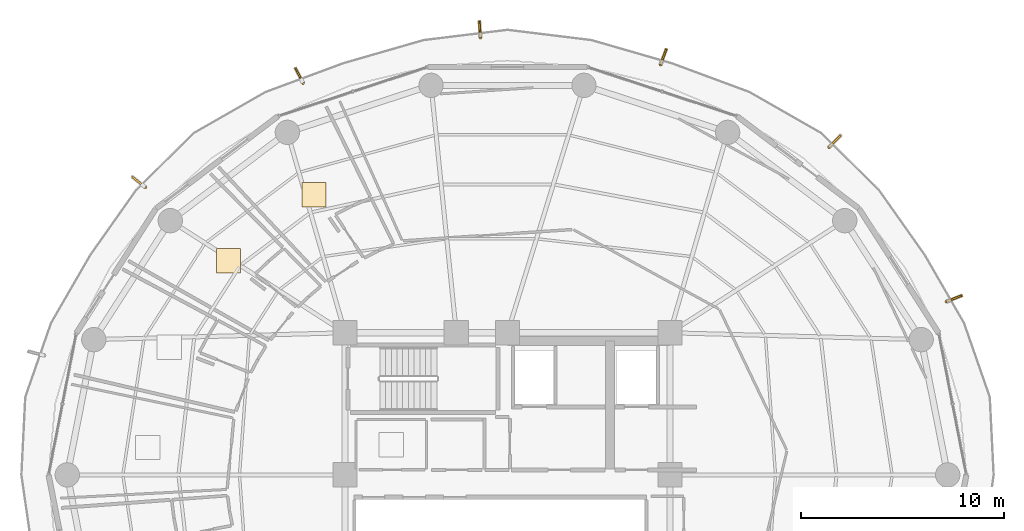
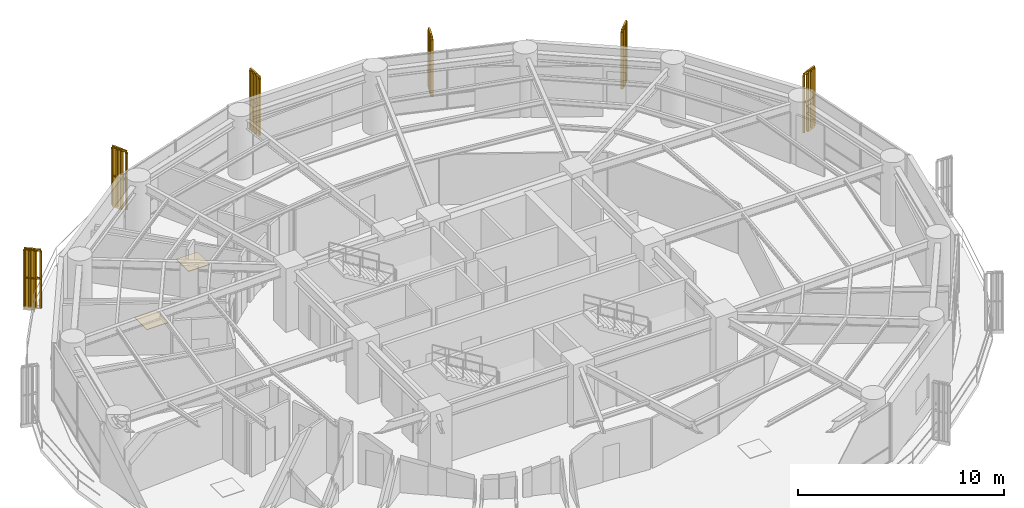
# One storey, part 29 of 29: 6 railings, 6 shading devices, 2 coverings.
"""IFC4 building model written with IfcOpenShell, lengths in metres."""

from ifc_helpers import new_model, si_unit, direction, frame, origin, origin_2d, place, context, subcontext, project, spatial, polyline, rectangle, outline, extrude, source, transform, mapped, material, layer, layer_set, type_object, element, save


model = new_model("IFC4")

# Units and contexts
model_context = context("Model", 3, precision=1e-05, world=origin(), true_north=direction((0.0, 1.0)))
body_context = subcontext(model_context, "Body", "Model", "MODEL_VIEW")
ifc_project = project(units=[si_unit("LENGTHUNIT", "METRE"), si_unit("AREAUNIT", "SQUARE_METRE"), si_unit("VOLUMEUNIT", "CUBIC_METRE"), si_unit("PLANEANGLEUNIT", "RADIAN"), si_unit("MASSUNIT", "GRAM", prefix="KILO")], contexts=[model_context])

# Site, building, storey
site_placement = place(None, origin())
site = spatial("IfcSite", under=ifc_project, at=site_placement, CompositionType="ELEMENT")
building_placement = place(site_placement, origin())
building = spatial("IfcBuilding", under=site, at=building_placement, Name="Kelanora Arch Commons", CompositionType="ELEMENT")
storey_placement = place(building_placement, frame((0.0, 0.0, 135.60009765625)))
storey = spatial("IfcBuildingStorey", under=building, at=storey_placement, Name="L34", CompositionType="ELEMENT", Elevation=135.60009765625)

# Railings
ifc_material_1 = material(Name="Anodised bronze vertical shading fin rib assembly")
railing_type = type_object("IfcRailingType", Name="RAIL-FIN-BRZ", PredefinedType="BALUSTRADE", material=ifc_material_1)
railing_1_placement = place(storey_placement, frame((95.61962890625, 66.534423828125, -0.02001953125)))
element("IfcRailing", 1, at=railing_1_placement, inside=storey, type_object=railing_type, Name="Sweeping Bronze Vertical Fin Blade L34-00", PredefinedType="BALUSTRADE", context=body_context, shape_type="SweptSolid", body=[
    extrude(outline(polyline([(0.06982421875, 0.0), (0.034912109375, 0.060546875), (-0.034912109375, 0.060546875), (-0.06982421875, 0.0), (-0.034912109375, -0.060546875), (0.034912109375, -0.060546875), (0.06982421875, 0.0)])), frame((0.0, 0.0, 3.419921875), z_axis=(0.930067437236, 0.367388843317, 0.0), x_axis=(-0.367388843317, 0.930067437236, 0.0)), (0.0, 0.0, 1.0), 0.800048828125),
    extrude(outline(polyline([(0.06982421875, 0.0), (0.034912109375, 0.060546875), (-0.034912109375, 0.060546875), (-0.06982421875, 0.0), (-0.034912109375, -0.060546875), (0.034912109375, -0.060546875), (0.06982421875, 0.0)])), frame((0.0, 0.0, 1.7451171875), z_axis=(0.930067437236, 0.367388843317, 0.0), x_axis=(-0.367388843317, 0.930067437236, 0.0)), (0.0, 0.0, 1.0), 0.800048828125),
    extrude(outline(polyline([(0.080078125, 0.0), (0.0400390625, 0.0693359375), (-0.0400390625, 0.0693359375), (-0.080078125, 0.0), (-0.0400390625, -0.0693359375), (0.0400390625, -0.0693359375), (0.080078125, 0.0)])), origin(), (0.0, 0.0, 1.0), 3.35009765625),
    extrude(outline(polyline([(0.080078125, 0.0), (0.0400390625, 0.0693359375), (-0.0400390625, 0.0693359375), (-0.080078125, 0.0), (-0.0400390625, -0.0693359375), (0.0400390625, -0.0693359375), (0.080078125, 0.0)])), frame((0.248046875, 0.097900390625, 0.0)), (0.0, 0.0, 1.0), 3.35009765625),
    extrude(outline(polyline([(0.080078125, 0.0), (0.0400390625, 0.0693359375), (-0.0400390625, 0.0693359375), (-0.080078125, 0.0), (-0.0400390625, -0.0693359375), (0.0400390625, -0.0693359375), (0.080078125, 0.0)])), frame((0.49609375, 0.196044921875, 0.0)), (0.0, 0.0, 1.0), 3.35009765625),
    extrude(outline(polyline([(0.080078125, 0.0), (0.0400390625, 0.0693359375), (-0.0400390625, 0.0693359375), (-0.080078125, 0.0), (-0.0400390625, -0.0693359375), (0.0400390625, -0.0693359375), (0.080078125, 0.0)])), frame((0.744140625, 0.2939453125, 0.0)), (0.0, 0.0, 1.0), 3.35009765625),
])
railing_2_placement = place(storey_placement, frame((89.838134765625, 74.140625, -0.02001953125)))
element("IfcRailing", 2, at=railing_2_placement, inside=storey, type_object=railing_type, Name="Sweeping Bronze Vertical Fin Blade L34-01", PredefinedType="BALUSTRADE", context=body_context, shape_type="SweptSolid", body=[
    extrude(outline(polyline([(0.06982421875, 0.0), (0.034912109375, 0.060546875), (-0.034912109375, 0.060546875), (-0.06982421875, 0.0), (-0.034912109375, -0.060546875), (0.034912109375, -0.060546875), (0.06982421875, 0.0)])), frame((0.0, 0.0, 3.419921875), z_axis=(0.700361206285, 0.713788610676, 0.0), x_axis=(-0.713788610676, 0.700361206285, 0.0)), (0.0, 0.0, 1.0), 0.800048828125),
    extrude(outline(polyline([(0.06982421875, 0.0), (0.034912109375, 0.060546875), (-0.034912109375, 0.060546875), (-0.06982421875, 0.0), (-0.034912109375, -0.060546875), (0.034912109375, -0.060546875), (0.06982421875, 0.0)])), frame((0.0, 0.0, 1.7451171875), z_axis=(0.700361206285, 0.713788610676, 0.0), x_axis=(-0.713788610676, 0.700361206285, 0.0)), (0.0, 0.0, 1.0), 0.800048828125),
    extrude(outline(polyline([(0.080078125, 0.0), (0.0400390625, 0.0693359375), (-0.0400390625, 0.0693359375), (-0.080078125, 0.0), (-0.0400390625, -0.0693359375), (0.0400390625, -0.0693359375), (0.080078125, 0.0)])), origin(), (0.0, 0.0, 1.0), 3.35009765625),
    extrude(outline(polyline([(0.080078125, 0.0), (0.0400390625, 0.0693359375), (-0.0400390625, 0.0693359375), (-0.080078125, 0.0), (-0.0400390625, -0.0693359375), (0.0400390625, -0.0693359375), (0.080078125, 0.0)])), frame((0.186767578125, 0.1904296875, 0.0)), (0.0, 0.0, 1.0), 3.35009765625),
    extrude(outline(polyline([(0.080078125, 0.0), (0.0400390625, 0.0693359375), (-0.0400390625, 0.0693359375), (-0.080078125, 0.0), (-0.0400390625, -0.0693359375), (0.0400390625, -0.0693359375), (0.080078125, 0.0)])), frame((0.37353515625, 0.380615234375, 0.0)), (0.0, 0.0, 1.0), 3.35009765625),
    extrude(outline(polyline([(0.080078125, 0.0), (0.0400390625, 0.0693359375), (-0.0400390625, 0.0693359375), (-0.080078125, 0.0), (-0.0400390625, -0.0693359375), (0.0400390625, -0.0693359375), (0.080078125, 0.0)])), frame((0.560302734375, 0.571044921875, 0.0)), (0.0, 0.0, 1.0), 3.35009765625),
])
railing_3_placement = place(storey_placement, frame((81.537109375, 78.20361328125, -0.02001953125)))
element("IfcRailing", 3, at=railing_3_placement, inside=storey, type_object=railing_type, Name="Sweeping Bronze Vertical Fin Blade L34-02", PredefinedType="BALUSTRADE", context=body_context, shape_type="SweptSolid", body=[
    extrude(outline(polyline([(0.06982421875, 0.0), (0.034912109375, 0.060546875), (-0.034912109375, 0.060546875), (-0.06982421875, 0.0), (-0.034912109375, -0.060546875), (0.034912109375, -0.060546875), (0.06982421875, 0.0)])), frame((0.0, 0.0, 3.419921875), z_axis=(0.349450569214, 0.936954801298, 0.0), x_axis=(-0.936954801298, 0.349450569214, 0.0)), (0.0, 0.0, 1.0), 0.800048828125),
    extrude(outline(polyline([(0.06982421875, 0.0), (0.034912109375, 0.060546875), (-0.034912109375, 0.060546875), (-0.06982421875, 0.0), (-0.034912109375, -0.060546875), (0.034912109375, -0.060546875), (0.06982421875, 0.0)])), frame((0.0, 0.0, 1.7451171875), z_axis=(0.349450569214, 0.936954801298, 0.0), x_axis=(-0.936954801298, 0.349450569214, 0.0)), (0.0, 0.0, 1.0), 0.800048828125),
    extrude(outline(polyline([(0.080078125, 0.0), (0.0400390625, 0.0693359375), (-0.0400390625, 0.0693359375), (-0.080078125, 0.0), (-0.0400390625, -0.0693359375), (0.0400390625, -0.0693359375), (0.080078125, 0.0)])), origin(), (0.0, 0.0, 1.0), 3.35009765625),
    extrude(outline(polyline([(0.080078125, 0.0), (0.0400390625, 0.0693359375), (-0.0400390625, 0.0693359375), (-0.080078125, 0.0), (-0.0400390625, -0.0693359375), (0.0400390625, -0.0693359375), (0.080078125, 0.0)])), frame((0.09326171875, 0.249755859375, 0.0)), (0.0, 0.0, 1.0), 3.35009765625),
    extrude(outline(polyline([(0.080078125, 0.0), (0.0400390625, 0.0693359375), (-0.0400390625, 0.0693359375), (-0.080078125, 0.0), (-0.0400390625, -0.0693359375), (0.0400390625, -0.0693359375), (0.080078125, 0.0)])), frame((0.186279296875, 0.499755859375, 0.0)), (0.0, 0.0, 1.0), 3.35009765625),
    extrude(outline(polyline([(0.080078125, 0.0), (0.0400390625, 0.0693359375), (-0.0400390625, 0.0693359375), (-0.080078125, 0.0), (-0.0400390625, -0.0693359375), (0.0400390625, -0.0693359375), (0.080078125, 0.0)])), frame((0.279541015625, 0.74951171875, 0.0)), (0.0, 0.0, 1.0), 3.35009765625),
])
railing_4_placement = place(storey_placement, frame((72.6669921875, 79.535400390625, -0.02001953125)))
element("IfcRailing", 4, at=railing_4_placement, inside=storey, type_object=railing_type, Name="Sweeping Bronze Vertical Fin Blade L34-03", PredefinedType="BALUSTRADE", context=body_context, shape_type="SweptSolid", body=[
    extrude(outline(polyline([(0.06982421875, 0.0), (0.034912109375, 0.060546875), (-0.034912109375, 0.060546875), (-0.06982421875, 0.0), (-0.034912109375, -0.060546875), (0.034912109375, -0.060546875), (0.06982421875, 0.0)])), frame((0.0, 0.0, 3.419921875), z_axis=(-0.061656172649, 0.998097448336, 0.0), x_axis=(-0.998097448336, -0.061656172649, 0.0)), (0.0, 0.0, 1.0), 0.7998046875),
    extrude(outline(polyline([(0.06982421875, 0.0), (0.034912109375, 0.060546875), (-0.034912109375, 0.060546875), (-0.06982421875, 0.0), (-0.034912109375, -0.060546875), (0.034912109375, -0.060546875), (0.06982421875, 0.0)])), frame((0.0, 0.0, 1.7451171875), z_axis=(-0.061656172649, 0.998097448336, 0.0), x_axis=(-0.998097448336, -0.061656172649, 0.0)), (0.0, 0.0, 1.0), 0.7998046875),
    extrude(outline(polyline([(0.080078125, 0.0), (0.0400390625, 0.0693359375), (-0.0400390625, 0.0693359375), (-0.080078125, 0.0), (-0.0400390625, -0.0693359375), (0.0400390625, -0.0693359375), (0.080078125, 0.0)])), origin(), (0.0, 0.0, 1.0), 3.35009765625),
    extrude(outline(polyline([(0.080078125, 0.0), (0.0400390625, 0.0693359375), (-0.0400390625, 0.0693359375), (-0.080078125, 0.0), (-0.0400390625, -0.0693359375), (0.0400390625, -0.0693359375), (0.080078125, 0.0)])), frame((-0.016357421875, 0.26611328125, 0.0)), (0.0, 0.0, 1.0), 3.35009765625),
    extrude(outline(polyline([(0.080078125, 0.0), (0.0400390625, 0.0693359375), (-0.0400390625, 0.0693359375), (-0.080078125, 0.0), (-0.0400390625, -0.0693359375), (0.0400390625, -0.0693359375), (0.080078125, 0.0)])), frame((-0.032958984375, 0.5322265625, 0.0)), (0.0, 0.0, 1.0), 3.35009765625),
    extrude(outline(polyline([(0.080078125, 0.0), (0.0400390625, 0.0693359375), (-0.0400390625, 0.0693359375), (-0.080078125, 0.0), (-0.0400390625, -0.0693359375), (0.0400390625, -0.0693359375), (0.080078125, 0.0)])), frame((-0.04931640625, 0.79833984375, 0.0)), (0.0, 0.0, 1.0), 3.35009765625),
])
railing_5_placement = place(storey_placement, frame((63.93115234375, 77.3076171875, -0.02001953125)))
element("IfcRailing", 5, at=railing_5_placement, inside=storey, type_object=railing_type, Name="Sweeping Bronze Vertical Fin Blade L34-04", PredefinedType="BALUSTRADE", context=body_context, shape_type="SweptSolid", body=[
    extrude(outline(polyline([(0.06982421875, 0.0), (0.034912109375, 0.060546875), (-0.034912109375, 0.060546875), (-0.06982421875, 0.0), (-0.034912109375, -0.060546875), (0.034912109375, -0.060546875), (0.06982421875, 0.0)])), frame((0.0, 0.0, 3.419921875), z_axis=(-0.462409534141, 0.886666466455, 0.0), x_axis=(-0.886666466455, -0.462409534141, 0.0)), (0.0, 0.0, 1.0), 0.7998046875),
    extrude(outline(polyline([(0.06982421875, 0.0), (0.034912109375, 0.060546875), (-0.034912109375, 0.060546875), (-0.06982421875, 0.0), (-0.034912109375, -0.060546875), (0.034912109375, -0.060546875), (0.06982421875, 0.0)])), frame((0.0, 0.0, 1.7451171875), z_axis=(-0.462409534141, 0.886666466455, 0.0), x_axis=(-0.886666466455, -0.462409534141, 0.0)), (0.0, 0.0, 1.0), 0.7998046875),
    extrude(outline(polyline([(0.080078125, 0.0), (0.0400390625, 0.0693359375), (-0.0400390625, 0.0693359375), (-0.080078125, 0.0), (-0.0400390625, -0.0693359375), (0.0400390625, -0.0693359375), (0.080078125, 0.0)])), origin(), (0.0, 0.0, 1.0), 3.35009765625),
    extrude(outline(polyline([(0.080078125, 0.0), (0.0400390625, 0.0693359375), (-0.0400390625, 0.0693359375), (-0.080078125, 0.0), (-0.0400390625, -0.0693359375), (0.0400390625, -0.0693359375), (0.080078125, 0.0)])), frame((-0.123291015625, 0.236328125, 0.0)), (0.0, 0.0, 1.0), 3.35009765625),
    extrude(outline(polyline([(0.080078125, 0.0), (0.0400390625, 0.0693359375), (-0.0400390625, 0.0693359375), (-0.080078125, 0.0), (-0.0400390625, -0.0693359375), (0.0400390625, -0.0693359375), (0.080078125, 0.0)])), frame((-0.24658203125, 0.472900390625, 0.0)), (0.0, 0.0, 1.0), 3.35009765625),
    extrude(outline(polyline([(0.080078125, 0.0), (0.0400390625, 0.0693359375), (-0.0400390625, 0.0693359375), (-0.080078125, 0.0), (-0.0400390625, -0.0693359375), (0.0400390625, -0.0693359375), (0.080078125, 0.0)])), frame((-0.369873046875, 0.709228515625, 0.0)), (0.0, 0.0, 1.0), 3.35009765625),
])
railing_6_placement = place(storey_placement, frame((56.1611328125, 72.168212890625, -0.02001953125)))
element("IfcRailing", 6, at=railing_6_placement, inside=storey, type_object=railing_type, Name="Sweeping Bronze Vertical Fin Blade L34-05", PredefinedType="BALUSTRADE", context=body_context, shape_type="SweptSolid", body=[
    extrude(outline(polyline([(0.06982421875, 0.0), (0.034912109375, 0.060546875), (-0.034912109375, 0.060546875), (-0.06982421875, 0.0), (-0.034912109375, -0.060546875), (0.034912109375, -0.060546875), (0.06982421875, 0.0)])), frame((0.0, 0.0, 3.419921875), z_axis=(-0.782918516386, 0.622124261462, 0.0), x_axis=(-0.622124261462, -0.782918516386, 0.0)), (0.0, 0.0, 1.0), 0.800048828125),
    extrude(outline(polyline([(0.06982421875, 0.0), (0.034912109375, 0.060546875), (-0.034912109375, 0.060546875), (-0.06982421875, 0.0), (-0.034912109375, -0.060546875), (0.034912109375, -0.060546875), (0.06982421875, 0.0)])), frame((0.0, 0.0, 1.7451171875), z_axis=(-0.782918516386, 0.622124261462, 0.0), x_axis=(-0.622124261462, -0.782918516386, 0.0)), (0.0, 0.0, 1.0), 0.800048828125),
    extrude(outline(polyline([(0.080078125, 0.0), (0.0400390625, 0.0693359375), (-0.0400390625, 0.0693359375), (-0.080078125, 0.0), (-0.0400390625, -0.0693359375), (0.0400390625, -0.0693359375), (0.080078125, 0.0)])), origin(), (0.0, 0.0, 1.0), 3.35009765625),
    extrude(outline(polyline([(0.080078125, 0.0), (0.0400390625, 0.0693359375), (-0.0400390625, 0.0693359375), (-0.080078125, 0.0), (-0.0400390625, -0.0693359375), (0.0400390625, -0.0693359375), (0.080078125, 0.0)])), frame((-0.208740234375, 0.166015625, 0.0)), (0.0, 0.0, 1.0), 3.35009765625),
    extrude(outline(polyline([(0.080078125, 0.0), (0.0400390625, 0.0693359375), (-0.0400390625, 0.0693359375), (-0.080078125, 0.0), (-0.0400390625, -0.0693359375), (0.0400390625, -0.0693359375), (0.080078125, 0.0)])), frame((-0.417724609375, 0.331787109375, 0.0)), (0.0, 0.0, 1.0), 3.35009765625),
    extrude(outline(polyline([(0.080078125, 0.0), (0.0400390625, 0.0693359375), (-0.0400390625, 0.0693359375), (-0.080078125, 0.0), (-0.0400390625, -0.0693359375), (0.0400390625, -0.0693359375), (0.080078125, 0.0)])), frame((-0.62646484375, 0.497802734375, 0.0)), (0.0, 0.0, 1.0), 3.35009765625),
])

# Shading devices
ifc_material_2 = material(Name="Terracotta ceramic-clad extruded aluminium fin", Category="masonry")
shading_device_type = type_object("IfcShadingDeviceType", Name="SHD-FIN-WAIST", PredefinedType="USERDEFINED", material=ifc_material_2)
shared_shape_1 = source(origin(), body_context, "Body", "SweptSolid", [
    extrude(rectangle(XDim=0.56005859375, YDim=0.090087890625, at=origin_2d()), origin(), (0.0, 0.0, 1.0), 3.610107421875),
])
for number, where, z_axis, x_axis, name in (
    (7, (96.121826171875, 66.73291015625, -0.14013671875), (0.0, 0.0, 1.0), (0.930161475141, 0.367150691357, 0.0), "Sweeping Terracotta Fin L34-00"),
    (8, (90.21630859375, 74.526123046875, -0.14013671875), (0.0, 0.0, 1.0), (0.700411150784, 0.713739602276, 0.0), "Sweeping Terracotta Fin L34-01"),
    (9, (81.7255859375, 78.709716796875, -0.14013671875), (0.0, 0.0, 1.0), (0.349553375421, 0.936916451842, 0.0), "Sweeping Terracotta Fin L34-02"),
    (10, (72.633544921875, 80.07421875, -0.14013671875), (0.0, 0.0, 1.0), (-0.061745354146, 0.998091935265, 0.0), "Sweeping Terracotta Fin L34-03"),
    (11, (63.681396484375, 77.786376953125, -0.14013671875), (0.0, 0.0, 1.0), (-0.462367751041, 0.886688255701, 0.0), "Sweeping Terracotta Fin L34-04"),
    (12, (55.73828125, 72.504150390625, -0.14013671875), (0.0, 0.0, 1.0), (-0.783042563302, 0.621968121415, 0.0), "Sweeping Terracotta Fin L34-05"),
):
    element("IfcShadingDevice", number, at=place(storey_placement, frame(where, z_axis=z_axis, x_axis=x_axis)), inside=storey, type_object=shading_device_type, Name=name, ObjectType="FIN", PredefinedType="USERDEFINED", context=body_context, shape_type="MappedRepresentation", body=[
        mapped(shared_shape_1, transform((0.0, 0.0, 0.0), scale=1.0)),
    ])

# Coverings
ifc_material_3 = material(Name="Polished local granite terrazzo flooring", Category="masonry")
ifc_layer = layer(ifc_material_3, 0.030029296875)
ifc_layer_set = layer_set([ifc_layer], Name="Polished local granite terrazzo flooring")
covering_type = type_object("IfcCoveringType", Name="COV-FLR-TER", PredefinedType="FLOORING", material=ifc_layer_set)
shared_shape_2 = source(origin(), body_context, "Body", "SweptSolid", [
    extrude(rectangle(XDim=1.199951171875, YDim=1.199951171875, at=origin_2d()), origin(), (0.0, 0.0, 1.0), 0.030029296875),
])
for number, where, z_axis, x_axis, name in (
    (13, (64.47265625, 71.8046875, 0.0), (0.0, 0.0, 1.0), (1.0, 0.0, 0.0), "Cluster Bedroom L34-01 Terrazzo Finish"),
    (14, (60.259521484375, 68.544921875, 0.0), (0.0, 0.0, 1.0), (1.0, 0.0, 0.0), "Cluster Bedroom L34-02 Terrazzo Finish"),
):
    element("IfcCovering", number, at=place(storey_placement, frame(where, z_axis=z_axis, x_axis=x_axis)), inside=storey, type_object=covering_type, Name=name, PredefinedType="FLOORING", context=body_context, shape_type="MappedRepresentation", body=[
        mapped(shared_shape_2, transform((0.0, 0.0, 0.0), scale=1.0)),
    ])

save(model, "model.ifc")
